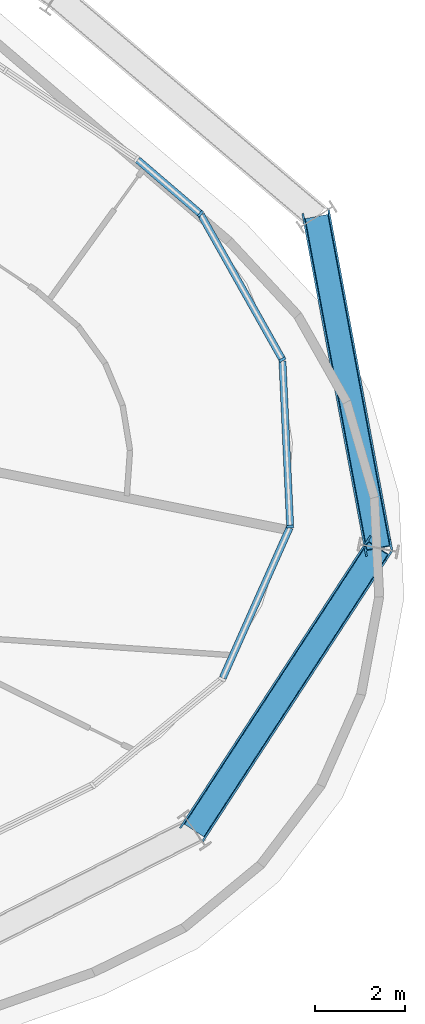
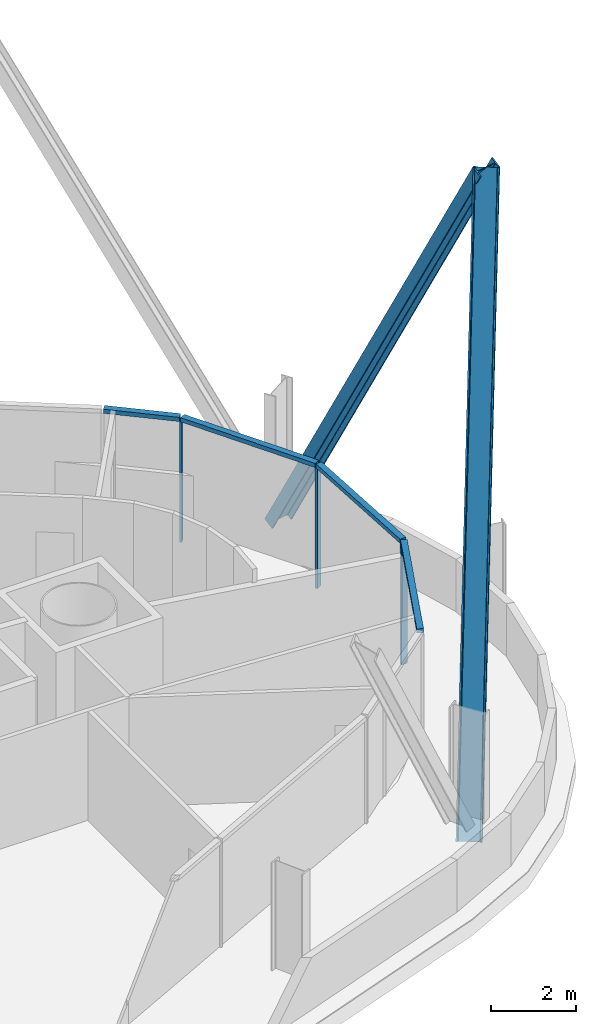
# One storey, part 6 of 18: 9 members, 1 element without a shape of its own.
"""IFC4 building model written with IfcOpenShell, lengths in metres."""

from ifc_helpers import new_model, si_unit, direction, frame, origin, origin_2d, place, context, subcontext, project, spatial, rectangle, i_section, extrude, material, layer, layer_set, material_profile, profile_set, type_object, element, aggregate, save


model = new_model("IFC4")

# Units and contexts
model_context = context("Model", 3, precision=1e-05, world=origin(), true_north=direction((0.0, 1.0)))
body_context = subcontext(model_context, "Body", "Model", "MODEL_VIEW")
ifc_project = project(units=[si_unit("LENGTHUNIT", "METRE"), si_unit("AREAUNIT", "SQUARE_METRE"), si_unit("VOLUMEUNIT", "CUBIC_METRE"), si_unit("PLANEANGLEUNIT", "RADIAN"), si_unit("MASSUNIT", "GRAM", prefix="KILO")], contexts=[model_context])

# Site, building, storey
site_placement = place(None, origin())
site = spatial("IfcSite", under=ifc_project, at=site_placement, CompositionType="ELEMENT")
building_placement = place(site_placement, origin())
building = spatial("IfcBuilding", under=site, at=building_placement, Name="Spindle Arch Residences", CompositionType="ELEMENT")
storey_placement = place(building_placement, frame((0.0, 0.0, 188.39990234375)))
storey = spatial("IfcBuildingStorey", under=building, at=storey_placement, Name="L47", CompositionType="ELEMENT", Elevation=188.39990234375)

# Curtain wall, members
ifc_material_1 = material(Name="Aluminium bronze unitised frame with tinted glass", Category="aluminium")
ifc_layer = layer(ifc_material_1, 0.159912109375)
ifc_layer_set = layer_set([ifc_layer], Name="CW-D corner wall on the fillet arcs")
curtain_wall_type = type_object("IfcCurtainWallType", Name="CW-D corner wall on the fillet arcs", PredefinedType="NOTDEFINED", material=ifc_layer_set)
curtain_wall_placement = place(storey_placement, origin())
curtain_wall = element("IfcCurtainWall", 1, at=curtain_wall_placement, inside=storey, type_object=curtain_wall_type, Name="CW-D L47 run 1", PredefinedType="NOTDEFINED")
ifc_material_2 = material(Name="Aluminium bronze anodised mullion", Category="aluminium")
ifc_material_profile_1 = material_profile(ifc_material_2, rectangle(XDim=0.159912109375, YDim=0.06005859375, at=origin_2d()), Name="MU 60x160")
ifc_profile_set_1 = profile_set([ifc_material_profile_1], Name="Aluminium bronze anodised mullion")
member_type_1 = type_object("IfcMemberType", Name="Bronze mullion 60x160", PredefinedType="MULLION", material=ifc_profile_set_1)
member_1_placement = place(storey_placement, frame((28.252197265625, -2.916015625, -0.449951171875), z_axis=(0.0, 0.0, 1.0), x_axis=(-0.99891711126, -0.046525313877, 0.0)))
member_1 = element("IfcMember", 2, at=member_1_placement, type_object=member_type_1, Name="CW-D mullion 03", PredefinedType="MULLION", context=body_context, shape_type="SweptSolid", body=[
    extrude(rectangle(XDim=0.159912109375, YDim=0.06005859375, at=origin_2d()), origin(), (0.0, 0.0, 1.0), 3.449951171875),
])
member_2_placement = place(storey_placement, frame((28.078857421875, 0.806884765625, -0.449951171875), z_axis=(0.0, 0.0, 1.0), x_axis=(-0.871784414743, -0.489889716377, 0.0)))
member_2 = element("IfcMember", 3, at=member_2_placement, type_object=member_type_1, Name="CW-D mullion 04", PredefinedType="MULLION", context=body_context, shape_type="SweptSolid", body=[
    extrude(rectangle(XDim=0.159912109375, YDim=0.06005859375, at=origin_2d()), origin(), (0.0, 0.0, 1.0), 3.449951171875),
])
member_3_placement = place(storey_placement, frame((26.253173828125, 4.0556640625, -0.449951171875), z_axis=(0.0, 0.0, 1.0), x_axis=(-0.651657229382, -0.758513582867, 0.0)))
member_3 = element("IfcMember", 4, at=member_3_placement, type_object=member_type_1, Name="CW-D mullion 05", PredefinedType="MULLION", context=body_context, shape_type="SweptSolid", body=[
    extrude(rectangle(XDim=0.159912109375, YDim=0.06005859375, at=origin_2d()), origin(), (0.0, 0.0, 1.0), 3.449951171875),
])
ifc_material_3 = material(Name="Aluminium bronze anodised transom", Category="aluminium")
ifc_material_profile_2 = material_profile(ifc_material_3, rectangle(XDim=0.159912109375, YDim=0.1201171875, at=origin_2d()), Name="TR 120x160")
ifc_profile_set_2 = profile_set([ifc_material_profile_2], Name="Aluminium bronze anodised transom")
member_type_2 = type_object("IfcMemberType", Name="Bronze transom 120x160", PredefinedType="USERDEFINED", material=ifc_profile_set_2)
member_4_placement = place(storey_placement, frame((26.748779296875, -6.29296875, 3.06005859375), z_axis=(0.406706770356, 0.913558757249, 0.0), x_axis=(-0.913558757249, 0.406706770356, 0.0)))
member_4 = element("IfcMember", 5, at=member_4_placement, type_object=member_type_2, Name="CW-D transom 02", ObjectType="TRANSOM", PredefinedType="USERDEFINED", context=body_context, shape_type="SweptSolid", body=[
    extrude(rectangle(XDim=0.159912109375, YDim=0.1201171875, at=origin_2d()), origin(), (0.0, 0.0, 1.0), 3.66650390625),
])
member_5_placement = place(storey_placement, frame((28.2509765625, -2.885986328125, 3.06005859375), z_axis=(-0.046540197037, 0.998916417955, 0.0), x_axis=(-0.998916417955, -0.046540197037, 0.0)))
member_5 = element("IfcMember", 6, at=member_5_placement, type_object=member_type_2, Name="CW-D transom 03", ObjectType="TRANSOM", PredefinedType="USERDEFINED", context=body_context, shape_type="SweptSolid", body=[
    extrude(rectangle(XDim=0.159912109375, YDim=0.1201171875, at=origin_2d()), origin(), (0.0, 0.0, 1.0), 3.666748046875),
])
member_6_placement = place(storey_placement, frame((28.064208984375, 0.8330078125, 3.06005859375), z_axis=(-0.489916630118, 0.871769290314, 0.0), x_axis=(-0.871769290314, -0.489916630118, 0.0)))
member_6 = element("IfcMember", 7, at=member_6_placement, type_object=member_type_2, Name="CW-D transom 04", ObjectType="TRANSOM", PredefinedType="USERDEFINED", context=body_context, shape_type="SweptSolid", body=[
    extrude(rectangle(XDim=0.159912109375, YDim=0.1201171875, at=origin_2d()), origin(), (0.0, 0.0, 1.0), 3.666748046875),
])
member_7_placement = place(storey_placement, frame((26.23046875, 4.0751953125, 3.06005859375), z_axis=(-0.758458936913, 0.651720830584, 0.0), x_axis=(-0.651720830584, -0.758458936913, 0.0)))
member_7 = element("IfcMember", 8, at=member_7_placement, type_object=member_type_2, Name="CW-D transom 05", ObjectType="TRANSOM", PredefinedType="USERDEFINED", context=body_context, shape_type="SweptSolid", body=[
    extrude(rectangle(XDim=0.159912109375, YDim=0.1201171875, at=origin_2d()), origin(), (0.0, 0.0, 1.0), 1.816162109375),
])
aggregate(curtain_wall, [member_4, member_1, member_5, member_2, member_6, member_3, member_7])

# Members
ifc_material_4 = material(Name="Steel S460ML, intumescent coating R 240", Category="steel")
ifc_material_profile_3 = material_profile(ifc_material_4, i_section(OverallWidth=0.304931640625, OverallDepth=0.6201171875, WebThickness=0.02099609375, FlangeThickness=0.0400390625, FilletRadius=0.027099609375, at=origin_2d()), Name="HEM 600")
ifc_profile_set_3 = profile_set([ifc_material_profile_3], Name="Steel S460ML, intumescent coating R 240")
member_type_3 = type_object("IfcMemberType", Name="Diagrid diagonal HEM 600", PredefinedType="BRACE", material=ifc_profile_set_3)
for number, where, z_axis, x_axis, name in (
    (9, (26.11669921875, -9.685546875, -0.699951171875), (0.257101068315, 0.394430850026, 0.882226357132), (-0.481752448009, -0.739079105412, 0.470825503537), "Diagrid diagonal 5.1.3"),
    (10, (28.84228515625, 3.9873046875, -0.699951171875), (0.086199554838, -0.462884414701, 0.882217464899), (-0.161512197395, 0.867307019149, 0.470842165303), "Diagrid diagonal 5.1.4"),
):
    element("IfcMember", number, at=place(storey_placement, frame(where, z_axis=z_axis, x_axis=x_axis)), inside=storey, type_object=member_type_3, Name=name, PredefinedType="BRACE", context=body_context, shape_type="SweptSolid", body=[
        extrude(i_section(OverallWidth=0.304931640625, OverallDepth=0.6201171875, WebThickness=0.02099609375, FlangeThickness=0.0400390625, FilletRadius=0.027099609375, at=origin_2d()), origin(), (0.0, 0.0, 1.0), 15.948486328125),
    ])

save(model, "model.ifc")
